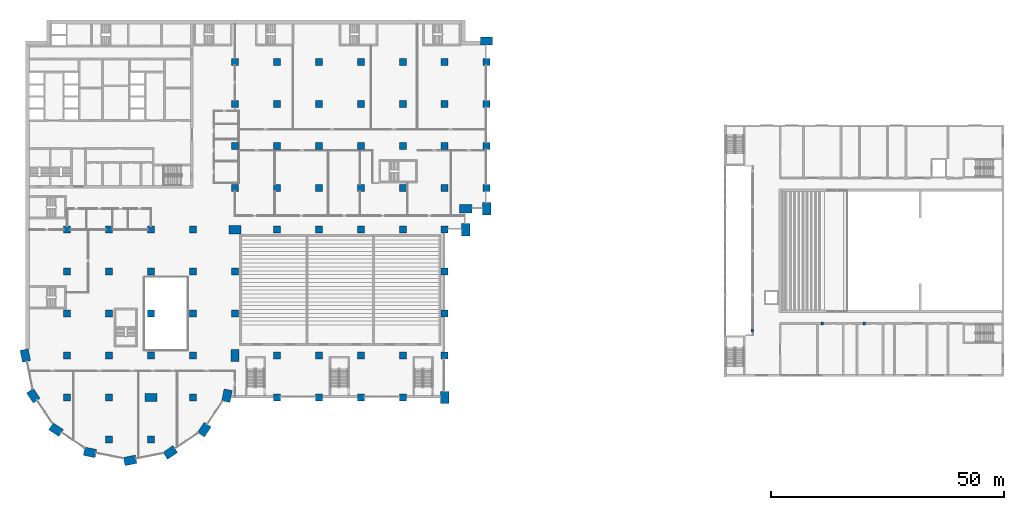
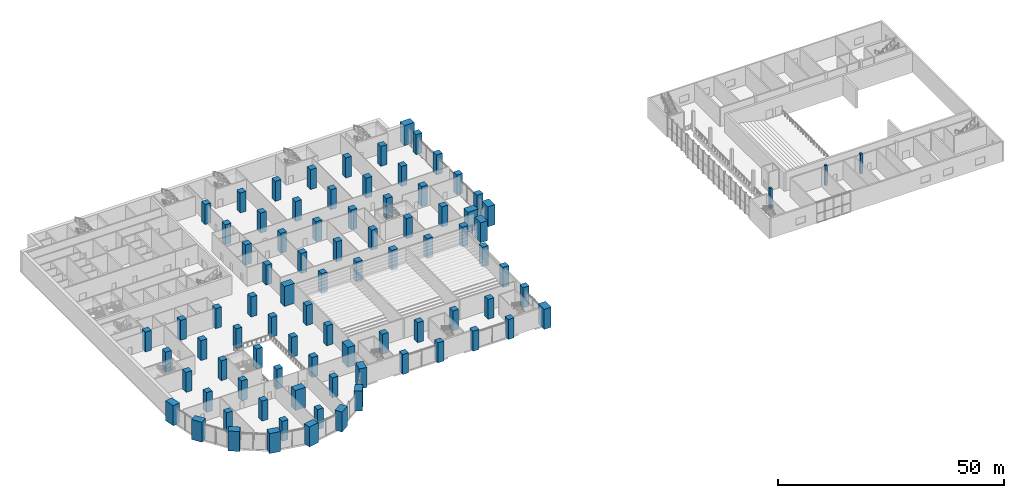
# One storey, part 1 of 44: 86 columns.
"""IFC4 building model written with IfcOpenShell, lengths in metres."""

from ifc_helpers import new_model, si_unit, direction, frame, origin, origin_2d, place, context, subcontext, project, spatial, rectangle, extrude, material, material_profile, profile_set, type_object, element, save


model = new_model("IFC4")

# Units and contexts
model_context = context("Model", 3, precision=1e-05, world=origin(), true_north=direction((0.0, 1.0)))
body_context = subcontext(model_context, "Body", "Model", "MODEL_VIEW")
ifc_project = project(units=[si_unit("LENGTHUNIT", "METRE"), si_unit("AREAUNIT", "SQUARE_METRE"), si_unit("VOLUMEUNIT", "CUBIC_METRE"), si_unit("PLANEANGLEUNIT", "RADIAN"), si_unit("MASSUNIT", "GRAM", prefix="KILO")], contexts=[model_context])

# Site, building, storey
site_placement = place(None, origin())
site = spatial("IfcSite", under=ifc_project, at=site_placement, CompositionType="ELEMENT")
building_placement = place(site_placement, origin())
building = spatial("IfcBuilding", under=site, at=building_placement, Name="Hunhe Ridgeline Campus", CompositionType="ELEMENT")
storey_placement = place(building_placement, frame((0.0, 0.0, 6.0)))
storey = spatial("IfcBuildingStorey", under=building, at=storey_placement, Name="L01", CompositionType="ELEMENT", Elevation=6.0)

# Columns
ifc_material_1 = material(Name="Concrete C50", Category="concrete")
ifc_material_profile_1 = material_profile(ifc_material_1, rectangle(XDim=0.60009765625, YDim=0.60009765625, at=origin_2d()))
ifc_profile_set_1 = profile_set([ifc_material_profile_1], Name="Concrete C50")
column_type_1 = type_object("IfcColumnType", Name="Hall RC column 600x600 C50", PredefinedType="COLUMN", material=ifc_profile_set_1)
for number, where, z_axis, x_axis, name in (
    (1, (171.0, 33.89990234375, 0.0), (0.0, 0.0, 1.0), (1.0, 0.0, 0.0), "Hall column HC-S1"),
    (2, (180.0, 33.89990234375, 0.0), (0.0, 0.0, 1.0), (1.0, 0.0, 0.0), "Hall column HC-S2"),
    (3, (156.0, 32.39990234375, 0.0), (0.0, 0.0, 1.0), (1.0, 0.0, 0.0), "Hall column HC-G1"),
):
    element("IfcColumn", number, at=place(storey_placement, frame(where, z_axis=z_axis, x_axis=x_axis)), inside=storey, type_object=column_type_1, Name=name, PredefinedType="COLUMN", context=body_context, shape_type="SweptSolid", body=[
        extrude(rectangle(XDim=0.60009765625, YDim=0.60009765625, at=origin_2d()), origin(), (0.0, 0.0, 1.0), 5.39990234375),
    ])
ifc_material_2 = material(Name="Concrete C80", Category="concrete")
ifc_material_profile_2 = material_profile(ifc_material_2, rectangle(XDim=2.60009765625, YDim=1.800048828125, at=origin_2d()))
ifc_profile_set_2 = profile_set([ifc_material_profile_2], Name="Concrete C80")
column_type_2 = type_object("IfcColumnType", Name="Megacolumn 2600x1800 Concrete C80", PredefinedType="COLUMN", material=ifc_profile_set_2)
for number, where, z_axis, x_axis, name in (
    (4, (22.5, 4.5, 0.0), (0.0, 0.0, 1.0), (0.980785280403, 0.195090322016, 0.0), "Column C1 R1 L01"),
    (5, (13.8896484375, 6.212646484375, 0.0), (0.0, 0.0, 1.0), (-0.980785280403, 0.195090322016, 0.0), "Column C1 R2 L01"),
    (6, (31.1103515625, 6.212646484375, 0.0), (0.0, 0.0, 1.0), (0.831469612303, 0.55557023302, 0.0), "Column C1 R3 L01"),
    (7, (6.590087890625, 11.090087890625, 0.0), (0.0, 0.0, 1.0), (-0.831469612303, 0.55557023302, 0.0), "Column C1 R4 L01"),
    (8, (38.409912109375, 11.090087890625, 0.0), (0.0, 0.0, 1.0), (0.55557023302, 0.831469612303, 0.0), "Column C1 R5 L01"),
    (9, (1.712646484375, 18.3896484375, 0.0), (0.0, 0.0, 1.0), (-0.55557023302, 0.831469612303, 0.0), "Column C1 R9 L01"),
    (10, (43.287353515625, 18.3896484375, 0.0), (0.0, 0.0, 1.0), (0.195090322016, 0.980785280403, 0.0), "Column C1 R10 L01"),
    (11, (0.0, 27.0, 0.0), (0.0, 0.0, 1.0), (-0.195090322016, 0.980785280403, 0.0), "Column C1 D1 L01"),
    (12, (45.0, 27.0, 0.0), (0.0, 0.0, 1.0), (0.0, 1.0, 0.0), "Column C1 D6 L01"),
    (13, (45.0, 54.0, 0.0), (0.0, 0.0, 1.0), (1.0, 0.0, 0.0), "Column C1 G6 L01"),
    (14, (94.5, 54.0, 0.0), (0.0, 0.0, 1.0), (0.0, 1.0, 0.0), "Column C1 R32 L01"),
    (15, (94.5, 58.5, 0.0), (0.0, 0.0, 1.0), (1.0, 0.0, 0.0), "Column C1 R39 L01"),
    (16, (99.0, 58.5, 0.0), (0.0, 0.0, 1.0), (0.0, 1.0, 0.0), "Column C1 R40 L01"),
    (17, (99.0, 94.5, 0.0), (0.0, 0.0, 1.0), (1.0, 0.0, 0.0), "Column C1 R44 L01"),
    (18, (27.0, 18.0, 0.0), (0.0, 0.0, 1.0), (1.0, 0.0, 0.0), "Column C1 C4 L01"),
    (19, (90.0, 18.0, 0.0), (0.0, 0.0, 1.0), (0.0, 1.0, 0.0), "Column C1 C11 L01"),
):
    element("IfcColumn", number, at=place(storey_placement, frame(where, z_axis=z_axis, x_axis=x_axis)), inside=storey, type_object=column_type_2, Name=name, PredefinedType="COLUMN", context=body_context, shape_type="SweptSolid", body=[
        extrude(rectangle(XDim=2.60009765625, YDim=1.800048828125, at=origin_2d()), origin(), (0.0, 0.0, 1.0), 5.39990234375),
    ])
ifc_material_profile_3 = material_profile(ifc_material_2, rectangle(XDim=1.5, YDim=1.5, at=origin_2d()))
ifc_profile_set_3 = profile_set([ifc_material_profile_3], Name="Concrete C80")
column_type_3 = type_object("IfcColumnType", Name="RC column 1500x1500 Concrete C80", PredefinedType="COLUMN", material=ifc_profile_set_3)
for number, where, z_axis, x_axis, name in (
    (20, (45.0, 36.0, 0.0), (0.0, 0.0, 1.0), (1.0, 0.0, 0.0), "Column C2 E6 L01"),
    (21, (45.0, 45.0, 0.0), (0.0, 0.0, 1.0), (1.0, 0.0, 0.0), "Column C2 F6 L01"),
    (22, (54.0, 54.0, 0.0), (0.0, 0.0, 1.0), (1.0, 0.0, 0.0), "Column C2 G7 L01"),
    (23, (63.0, 54.0, 0.0), (0.0, 0.0, 1.0), (1.0, 0.0, 0.0), "Column C2 G8 L01"),
    (24, (72.0, 54.0, 0.0), (0.0, 0.0, 1.0), (1.0, 0.0, 0.0), "Column C2 G9 L01"),
    (25, (81.0, 54.0, 0.0), (0.0, 0.0, 1.0), (1.0, 0.0, 0.0), "Column C2 G10 L01"),
    (26, (90.0, 54.0, 0.0), (0.0, 0.0, 1.0), (1.0, 0.0, 0.0), "Column C2 G11 L01"),
    (27, (99.0, 63.0, 0.0), (0.0, 0.0, 1.0), (1.0, 0.0, 0.0), "Column C2 H12 L01"),
    (28, (99.0, 72.0, 0.0), (0.0, 0.0, 1.0), (1.0, 0.0, 0.0), "Column C2 I12 L01"),
    (29, (99.0, 81.0, 0.0), (0.0, 0.0, 1.0), (1.0, 0.0, 0.0), "Column C2 J12 L01"),
    (30, (99.0, 90.0, 0.0), (0.0, 0.0, 1.0), (1.0, 0.0, 0.0), "Column C2 K12 L01"),
    (31, (9.0, 18.0, 0.0), (0.0, 0.0, 1.0), (1.0, 0.0, 0.0), "Column C2 C2 L01"),
    (32, (9.0, 27.0, 0.0), (0.0, 0.0, 1.0), (1.0, 0.0, 0.0), "Column C2 D2 L01"),
    (33, (9.0, 36.0, 0.0), (0.0, 0.0, 1.0), (1.0, 0.0, 0.0), "Column C2 E2 L01"),
    (34, (9.0, 45.0, 0.0), (0.0, 0.0, 1.0), (1.0, 0.0, 0.0), "Column C2 F2 L01"),
    (35, (9.0, 54.0, 0.0), (0.0, 0.0, 1.0), (1.0, 0.0, 0.0), "Column C2 G2 L01"),
    (36, (18.0, 18.0, 0.0), (0.0, 0.0, 1.0), (1.0, 0.0, 0.0), "Column C2 C3 L01"),
    (37, (18.0, 27.0, 0.0), (0.0, 0.0, 1.0), (1.0, 0.0, 0.0), "Column C2 D3 L01"),
    (38, (18.0, 36.0, 0.0), (0.0, 0.0, 1.0), (1.0, 0.0, 0.0), "Column C2 E3 L01"),
    (39, (18.0, 45.0, 0.0), (0.0, 0.0, 1.0), (1.0, 0.0, 0.0), "Column C2 F3 L01"),
    (40, (18.0, 54.0, 0.0), (0.0, 0.0, 1.0), (1.0, 0.0, 0.0), "Column C2 G3 L01"),
    (41, (27.0, 27.0, 0.0), (0.0, 0.0, 1.0), (1.0, 0.0, 0.0), "Column C2 D4 L01"),
    (42, (27.0, 36.0, 0.0), (0.0, 0.0, 1.0), (1.0, 0.0, 0.0), "Column C2 E4 L01"),
    (43, (27.0, 45.0, 0.0), (0.0, 0.0, 1.0), (1.0, 0.0, 0.0), "Column C2 F4 L01"),
    (44, (27.0, 54.0, 0.0), (0.0, 0.0, 1.0), (1.0, 0.0, 0.0), "Column C2 G4 L01"),
    (45, (36.0, 18.0, 0.0), (0.0, 0.0, 1.0), (1.0, 0.0, 0.0), "Column C2 C5 L01"),
    (46, (36.0, 27.0, 0.0), (0.0, 0.0, 1.0), (1.0, 0.0, 0.0), "Column C2 D5 L01"),
    (47, (36.0, 36.0, 0.0), (0.0, 0.0, 1.0), (1.0, 0.0, 0.0), "Column C2 E5 L01"),
    (48, (36.0, 45.0, 0.0), (0.0, 0.0, 1.0), (1.0, 0.0, 0.0), "Column C2 F5 L01"),
    (49, (36.0, 54.0, 0.0), (0.0, 0.0, 1.0), (1.0, 0.0, 0.0), "Column C2 G5 L01"),
    (50, (45.0, 63.0, 0.0), (0.0, 0.0, 1.0), (1.0, 0.0, 0.0), "Column C2 H6 L01"),
    (51, (45.0, 72.0, 0.0), (0.0, 0.0, 1.0), (1.0, 0.0, 0.0), "Column C2 I6 L01"),
    (52, (45.0, 81.0, 0.0), (0.0, 0.0, 1.0), (1.0, 0.0, 0.0), "Column C2 J6 L01"),
    (53, (45.0, 90.0, 0.0), (0.0, 0.0, 1.0), (1.0, 0.0, 0.0), "Column C2 K6 L01"),
    (54, (54.0, 63.0, 0.0), (0.0, 0.0, 1.0), (1.0, 0.0, 0.0), "Column C2 H7 L01"),
    (55, (54.0, 72.0, 0.0), (0.0, 0.0, 1.0), (1.0, 0.0, 0.0), "Column C2 I7 L01"),
    (56, (54.0, 81.0, 0.0), (0.0, 0.0, 1.0), (1.0, 0.0, 0.0), "Column C2 J7 L01"),
    (57, (54.0, 90.0, 0.0), (0.0, 0.0, 1.0), (1.0, 0.0, 0.0), "Column C2 K7 L01"),
    (58, (63.0, 63.0, 0.0), (0.0, 0.0, 1.0), (1.0, 0.0, 0.0), "Column C2 H8 L01"),
    (59, (63.0, 72.0, 0.0), (0.0, 0.0, 1.0), (1.0, 0.0, 0.0), "Column C2 I8 L01"),
    (60, (63.0, 81.0, 0.0), (0.0, 0.0, 1.0), (1.0, 0.0, 0.0), "Column C2 J8 L01"),
    (61, (63.0, 90.0, 0.0), (0.0, 0.0, 1.0), (1.0, 0.0, 0.0), "Column C2 K8 L01"),
    (62, (72.0, 63.0, 0.0), (0.0, 0.0, 1.0), (1.0, 0.0, 0.0), "Column C2 H9 L01"),
    (63, (72.0, 72.0, 0.0), (0.0, 0.0, 1.0), (1.0, 0.0, 0.0), "Column C2 I9 L01"),
    (64, (72.0, 81.0, 0.0), (0.0, 0.0, 1.0), (1.0, 0.0, 0.0), "Column C2 J9 L01"),
    (65, (72.0, 90.0, 0.0), (0.0, 0.0, 1.0), (1.0, 0.0, 0.0), "Column C2 K9 L01"),
    (66, (81.0, 63.0, 0.0), (0.0, 0.0, 1.0), (1.0, 0.0, 0.0), "Column C2 H10 L01"),
    (67, (81.0, 72.0, 0.0), (0.0, 0.0, 1.0), (1.0, 0.0, 0.0), "Column C2 I10 L01"),
    (68, (81.0, 81.0, 0.0), (0.0, 0.0, 1.0), (1.0, 0.0, 0.0), "Column C2 J10 L01"),
    (69, (81.0, 90.0, 0.0), (0.0, 0.0, 1.0), (1.0, 0.0, 0.0), "Column C2 K10 L01"),
    (70, (90.0, 63.0, 0.0), (0.0, 0.0, 1.0), (1.0, 0.0, 0.0), "Column C2 H11 L01"),
    (71, (90.0, 72.0, 0.0), (0.0, 0.0, 1.0), (1.0, 0.0, 0.0), "Column C2 I11 L01"),
    (72, (90.0, 81.0, 0.0), (0.0, 0.0, 1.0), (1.0, 0.0, 0.0), "Column C2 J11 L01"),
    (73, (90.0, 90.0, 0.0), (0.0, 0.0, 1.0), (1.0, 0.0, 0.0), "Column C2 K11 L01"),
    (74, (54.0, 18.0, 0.0), (0.0, 0.0, 1.0), (1.0, 0.0, 0.0), "Column C2 C7 L01"),
    (75, (63.0, 18.0, 0.0), (0.0, 0.0, 1.0), (1.0, 0.0, 0.0), "Column C2 C8 L01"),
    (76, (72.0, 18.0, 0.0), (0.0, 0.0, 1.0), (1.0, 0.0, 0.0), "Column C2 C9 L01"),
    (77, (81.0, 18.0, 0.0), (0.0, 0.0, 1.0), (1.0, 0.0, 0.0), "Column C2 C10 L01"),
    (78, (90.0, 27.0, 0.0), (0.0, 0.0, 1.0), (1.0, 0.0, 0.0), "Column C2 D11 L01"),
    (79, (90.0, 36.0, 0.0), (0.0, 0.0, 1.0), (1.0, 0.0, 0.0), "Column C2 E11 L01"),
    (80, (90.0, 45.0, 0.0), (0.0, 0.0, 1.0), (1.0, 0.0, 0.0), "Column C2 F11 L01"),
    (81, (18.0, 9.0, 0.0), (0.0, 0.0, 1.0), (1.0, 0.0, 0.0), "Column C2 B3 L01"),
    (82, (27.0, 9.0, 0.0), (0.0, 0.0, 1.0), (1.0, 0.0, 0.0), "Column C2 B4 L01"),
    (83, (54.0, 27.0, 0.0), (0.0, 0.0, 1.0), (1.0, 0.0, 0.0), "Column C2 D7 L01"),
    (84, (63.0, 27.0, 0.0), (0.0, 0.0, 1.0), (1.0, 0.0, 0.0), "Column C2 D8 L01"),
    (85, (72.0, 27.0, 0.0), (0.0, 0.0, 1.0), (1.0, 0.0, 0.0), "Column C2 D9 L01"),
    (86, (81.0, 27.0, 0.0), (0.0, 0.0, 1.0), (1.0, 0.0, 0.0), "Column C2 D10 L01"),
):
    element("IfcColumn", number, at=place(storey_placement, frame(where, z_axis=z_axis, x_axis=x_axis)), inside=storey, type_object=column_type_3, Name=name, PredefinedType="COLUMN", context=body_context, shape_type="SweptSolid", body=[
        extrude(rectangle(XDim=1.5, YDim=1.5, at=origin_2d()), origin(), (0.0, 0.0, 1.0), 5.39990234375),
    ])

save(model, "model.ifc")
